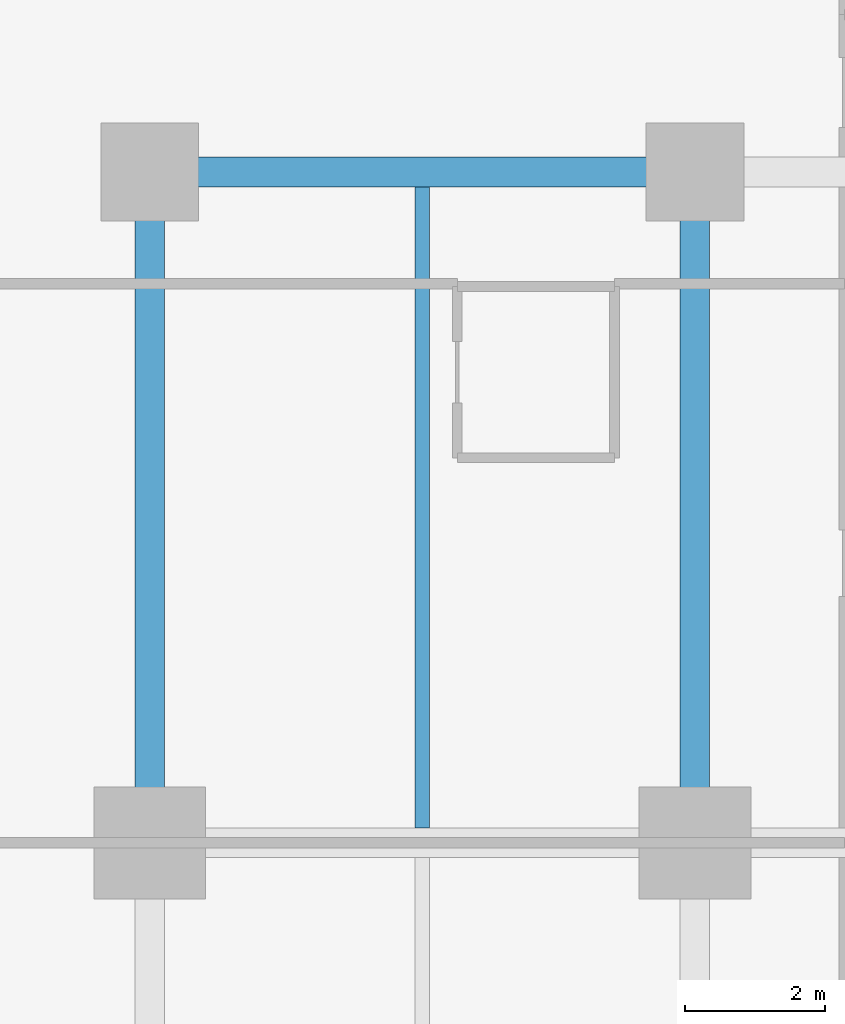
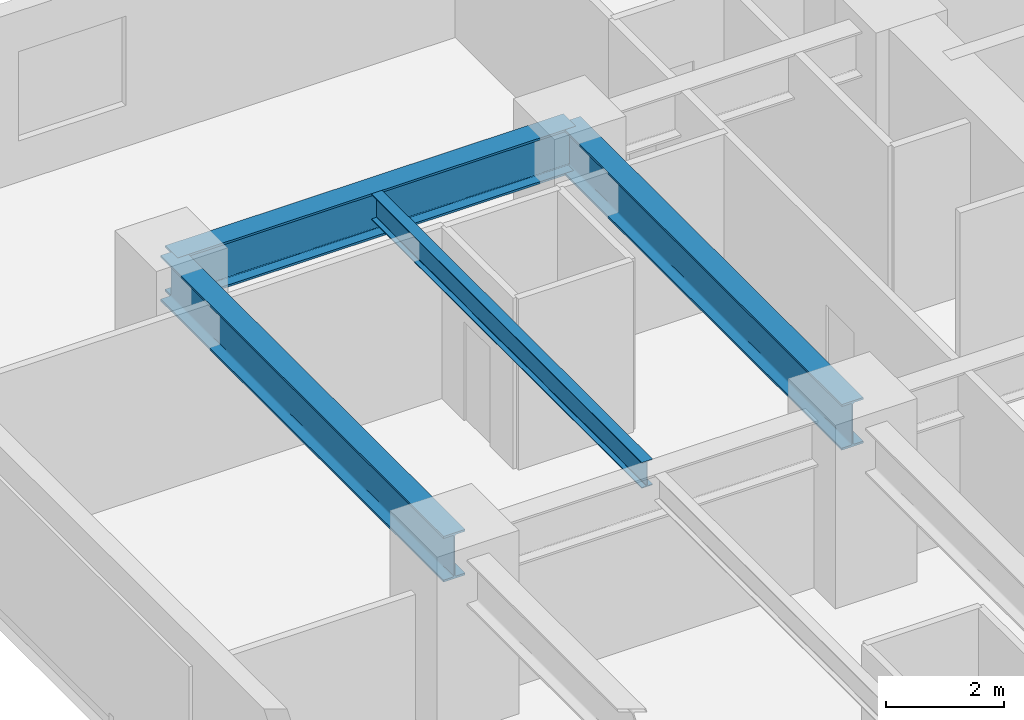
# One storey, part 2 of 12: 4 beams.
"""IFC4 building model written with IfcOpenShell, lengths in metres."""

from ifc_helpers import new_model, si_unit, direction, frame, origin, origin_2d, place, context, subcontext, project, spatial, i_section, extrude, material, material_profile, profile_set, type_object, element, save


model = new_model("IFC4")

# Units and contexts
model_context = context("Model", 3, precision=1e-05, world=origin(), true_north=direction((0.0, 1.0)))
body_context = subcontext(model_context, "Body", "Model", "MODEL_VIEW")
ifc_project = project(units=[si_unit("LENGTHUNIT", "METRE"), si_unit("AREAUNIT", "SQUARE_METRE"), si_unit("VOLUMEUNIT", "CUBIC_METRE"), si_unit("PLANEANGLEUNIT", "RADIAN"), si_unit("MASSUNIT", "GRAM", prefix="KILO")], contexts=[model_context])

# Site, building, storey
site_placement = place(None, origin())
site = spatial("IfcSite", under=ifc_project, at=site_placement, CompositionType="ELEMENT")
building_placement = place(site_placement, origin())
building = spatial("IfcBuilding", under=site, at=building_placement, Name="Kestravale Grand Hotel", CompositionType="ELEMENT")
storey_placement = place(building_placement, frame((0.0, 0.0, 56.39990234375)))
storey = spatial("IfcBuildingStorey", under=building, at=storey_placement, Name="L13", CompositionType="ELEMENT", Elevation=56.39990234375)

# Beams
ifc_material_1 = material(Name="Steel ASTM A992 Grade 50", Category="steel")
ifc_material_profile_1 = material_profile(ifc_material_1, i_section(OverallWidth=0.2099609375, OverallDepth=0.535888671875, WebThickness=0.010986328125, FlangeThickness=0.017333984375, FilletRadius=0.017578125, at=origin_2d()))
ifc_profile_set_1 = profile_set([ifc_material_profile_1], Name="Steel ASTM A992 Grade 50")
beam_type_1 = type_object("IfcBeamType", Name="B-FLR-JST21", PredefinedType="JOIST", material=ifc_profile_set_1)
beam_1_placement = place(storey_placement, frame((11.699951171875, 29.011962890625, 3.272216796875), z_axis=(0.0, 1.0, 0.0), x_axis=(-1.0, 0.0, 0.0)))
element("IfcBeam", 1, at=beam_1_placement, inside=storey, type_object=beam_type_1, Name="L13 floor joist 2-3/E-F #1", PredefinedType="JOIST", context=body_context, shape_type="SweptSolid", body=[
    extrude(i_section(OverallWidth=0.2099609375, OverallDepth=0.535888671875, WebThickness=0.010986328125, FlangeThickness=0.017333984375, FilletRadius=0.017578125, at=origin_2d()), origin(), (0.0, 0.0, 1.0), 9.176025390625),
])
ifc_material_2 = material(Name="Steel ASTM A992 Grade 50", Category="steel")
ifc_material_profile_2 = material_profile(ifc_material_2, i_section(OverallWidth=0.424072265625, OverallDepth=0.947021484375, WebThickness=0.02392578125, FlangeThickness=0.042724609375, FilletRadius=0.0283203125, at=origin_2d()))
ifc_profile_set_2 = profile_set([ifc_material_profile_2], Name="Steel ASTM A992 Grade 50")
beam_type_2 = type_object("IfcBeamType", Name="B-GRD-W36", PredefinedType="BEAM", material=ifc_profile_set_2)
beam_2_placement = place(storey_placement, frame((7.800048828125, 38.39990234375, 3.066650390625), z_axis=(1.0, 0.0, 0.0), x_axis=(0.0, 1.0, 0.0)))
element("IfcBeam", 2, at=beam_2_placement, inside=storey, type_object=beam_type_2, Name="L13 girder F:2-3", PredefinedType="BEAM", context=body_context, shape_type="SweptSolid", body=[
    extrude(i_section(OverallWidth=0.424072265625, OverallDepth=0.947021484375, WebThickness=0.02392578125, FlangeThickness=0.042724609375, FilletRadius=0.0283203125, at=origin_2d()), origin(), (0.0, 0.0, 1.0), 7.800048828125),
])
for number, where, z_axis, x_axis, name in (
    (3, (7.800048828125, 28.800048828125, 3.066650390625), (0.0, 1.0, 0.0), (-1.0, 0.0, 0.0), "L13 girder 2:E-F"),
    (4, (15.60009765625, 28.800048828125, 3.066650390625), (0.0, 1.0, 0.0), (-1.0, 0.0, 0.0), "L13 girder 3:E-F"),
):
    element("IfcBeam", number, at=place(storey_placement, frame(where, z_axis=z_axis, x_axis=x_axis)), inside=storey, type_object=beam_type_2, Name=name, PredefinedType="BEAM", context=body_context, shape_type="SweptSolid", body=[
        extrude(i_section(OverallWidth=0.424072265625, OverallDepth=0.947021484375, WebThickness=0.02392578125, FlangeThickness=0.042724609375, FilletRadius=0.0283203125, at=origin_2d()), origin(), (0.0, 0.0, 1.0), 9.599853515625),
    ])

save(model, "model.ifc")
